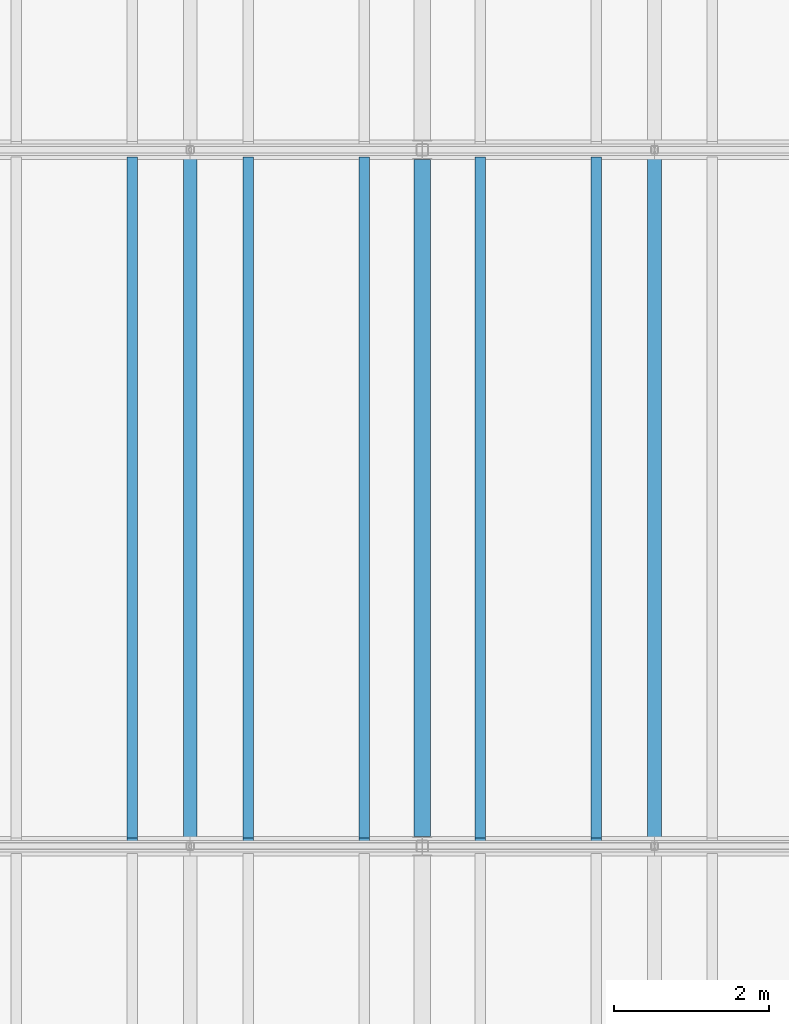
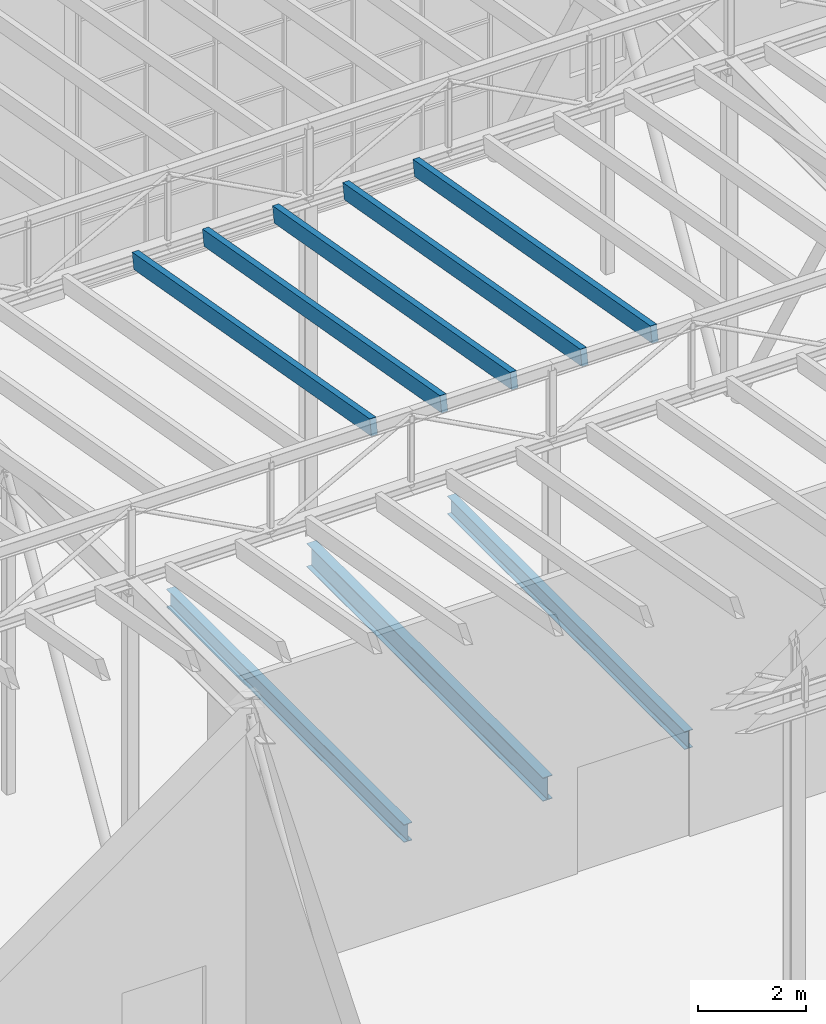
# One storey, part 30 of 90: 5 members, 3 beams.
"""IFC4 building model written with IfcOpenShell, lengths in metres."""

from ifc_helpers import new_model, si_unit, direction, frame, origin, origin_2d, place, context, subcontext, project, spatial, rectangle, i_section, extrude, material, material_profile, profile_set, type_object, element, save


model = new_model("IFC4")

# Units and contexts
model_context = context("Model", 3, precision=1e-05, world=origin(), true_north=direction((0.0, 1.0)))
body_context = subcontext(model_context, "Body", "Model", "MODEL_VIEW")
ifc_project = project(units=[si_unit("LENGTHUNIT", "METRE"), si_unit("AREAUNIT", "SQUARE_METRE"), si_unit("VOLUMEUNIT", "CUBIC_METRE"), si_unit("PLANEANGLEUNIT", "RADIAN"), si_unit("MASSUNIT", "GRAM", prefix="KILO")], contexts=[model_context])

# Site, building, storey
site_placement = place(None, origin())
site = spatial("IfcSite", under=ifc_project, at=site_placement, CompositionType="ELEMENT")
building_placement = place(site_placement, origin())
building = spatial("IfcBuilding", under=site, at=building_placement, Name="Halyard Row Museum", CompositionType="ELEMENT")
storey_placement = place(building_placement, frame((0.0, 0.0, 13.39990234375)))
storey = spatial("IfcBuildingStorey", under=building, at=storey_placement, Name="L03", CompositionType="ELEMENT", Elevation=13.39990234375)

# Beam
ifc_material_1 = material(Name="Steel Grade 300", Category="steel")
ifc_material_profile_1 = material_profile(ifc_material_1, i_section(OverallWidth=0.208984375, OverallDepth=0.532958984375, WebThickness=0.01025390625, FlangeThickness=0.015625, FilletRadius=0.013916015625, at=origin_2d()), Name="530UB92.4")
ifc_profile_set_1 = profile_set([ifc_material_profile_1], Name="Steel Grade 300")
beam_type_1 = type_object("IfcBeamType", Name="Girder beam 530UB92.4", PredefinedType="BEAM", material=ifc_profile_set_1)
beam_placement = place(storey_placement, frame((45.0, 27.126953125, -0.431396484375), z_axis=(0.0, 1.0, 0.0), x_axis=(-1.0, 0.0, 0.0)))
element("IfcBeam", 1, at=beam_placement, inside=storey, type_object=beam_type_1, Name="Beam L03-047", PredefinedType="BEAM", context=body_context, shape_type="SweptSolid", body=[
    extrude(i_section(OverallWidth=0.208984375, OverallDepth=0.532958984375, WebThickness=0.01025390625, FlangeThickness=0.015625, FilletRadius=0.013916015625, at=origin_2d()), origin(), (0.0, 0.0, 1.0), 8.74609375),
])

# Members
ifc_material_2 = material(Name="Glulam GL12 radiata pine", Category="wood")
ifc_material_profile_2 = material_profile(ifc_material_2, rectangle(XDim=0.135009765625, YDim=0.360107421875, at=origin_2d()), Name="GL12 135x360")
ifc_profile_set_2 = profile_set([ifc_material_profile_2], Name="Glulam GL12 radiata pine")
member_type = type_object("IfcMemberType", Name="Rafter GL12 135x360", PredefinedType="RAFTER", material=ifc_profile_set_2)
for number, where, z_axis, x_axis, name in (
    (2, (41.25, 27.074462890625, 9.083984375), (0.0, 0.984562193919, -0.175035100209), (-1.0, 0.0, 0.0), "Rafter V1-T2a.10"),
    (3, (42.75, 27.074462890625, 9.083984375), (0.0, 0.984562193919, -0.175035100209), (-1.0, 0.0, 0.0), "Rafter V1-T2a.11"),
    (4, (44.25, 27.074462890625, 9.083984375), (0.0, 0.984562193919, -0.175035100209), (-1.0, 0.0, 0.0), "Rafter V1-T2a.12"),
    (5, (45.75, 27.074462890625, 9.083984375), (0.0, 0.984562193919, -0.175035100209), (-1.0, 0.0, 0.0), "Rafter V1-T2a.13"),
    (6, (47.25, 27.074462890625, 9.083984375), (0.0, 0.984562193919, -0.175035100209), (-1.0, 0.0, 0.0), "Rafter V1-T2a.14"),
):
    element("IfcMember", number, at=place(storey_placement, frame(where, z_axis=z_axis, x_axis=x_axis)), inside=storey, type_object=member_type, Name=name, PredefinedType="RAFTER", context=body_context, shape_type="SweptSolid", body=[
        extrude(rectangle(XDim=0.135009765625, YDim=0.360107421875, at=origin_2d()), origin(), (0.0, 0.0, 1.0), 8.9365234375),
    ])

# Beams
ifc_material_3 = material(Name="Steel Grade 300", Category="steel")
ifc_material_profile_3 = material_profile(ifc_material_3, i_section(OverallWidth=0.177978515625, OverallDepth=0.406494140625, WebThickness=0.0078125, FlangeThickness=0.0126953125, FilletRadius=0.011474609375, at=origin_2d()), Name="410UB59.7")
ifc_profile_set_3 = profile_set([ifc_material_profile_3], Name="Steel Grade 300")
beam_type_2 = type_object("IfcBeamType", Name="Secondary beam 410UB59.7", PredefinedType="BEAM", material=ifc_profile_set_3)
for number, where, z_axis, x_axis, name in (
    (7, (42.0, 27.1044921875, -0.3681640625), (0.0, 1.0, 0.0), (-1.0, 0.0, 0.0), "Beam L03-102"),
    (8, (48.0, 27.1044921875, -0.3681640625), (0.0, 1.0, 0.0), (-1.0, 0.0, 0.0), "Beam L03-103"),
):
    element("IfcBeam", number, at=place(storey_placement, frame(where, z_axis=z_axis, x_axis=x_axis)), inside=storey, type_object=beam_type_2, Name=name, PredefinedType="BEAM", context=body_context, shape_type="SweptSolid", body=[
        extrude(i_section(OverallWidth=0.177978515625, OverallDepth=0.406494140625, WebThickness=0.0078125, FlangeThickness=0.0126953125, FilletRadius=0.011474609375, at=origin_2d()), origin(), (0.0, 0.0, 1.0), 8.791015625),
    ])

save(model, "model.ifc")
